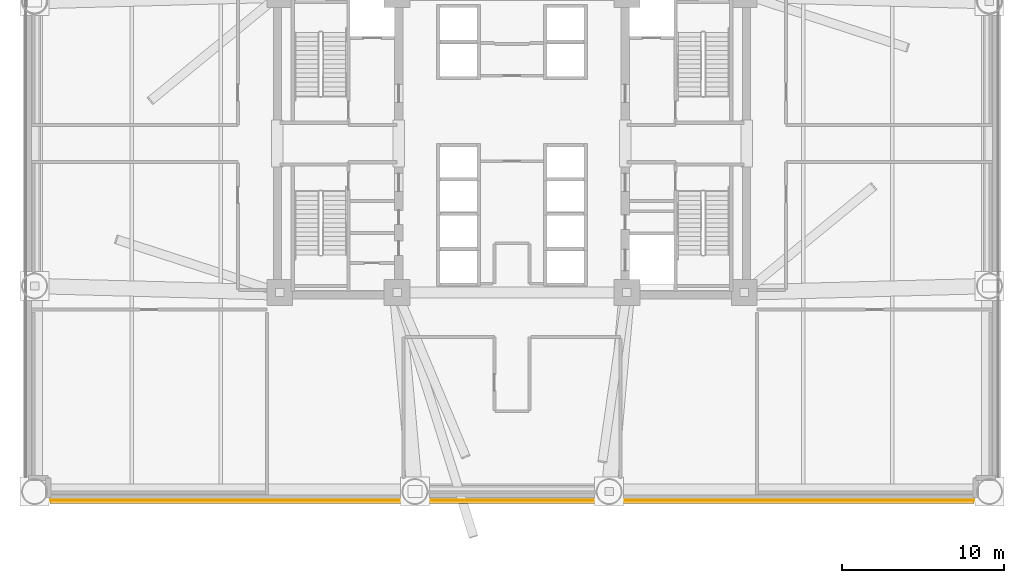
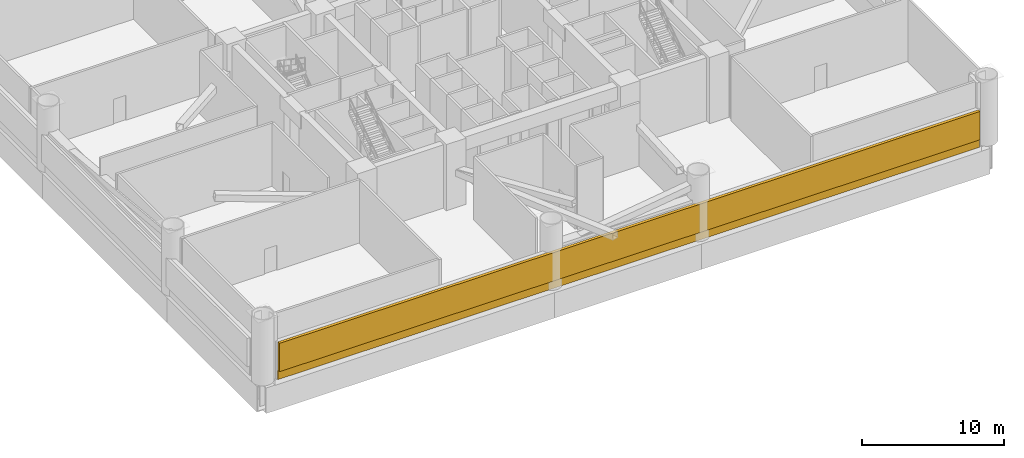
# One storey, part 7 of 10: 1 covering, 1 shading device.
"""IFC4 building model written with IfcOpenShell, lengths in metres."""

from ifc_helpers import new_model, si_unit, direction, frame, origin, origin_2d, place, context, subcontext, project, spatial, rectangle, extrude, source, transform, mapped, material, layer, layer_set, type_object, element, save


model = new_model("IFC4")

# Units and contexts
model_context = context("Model", 3, precision=1e-05, world=origin(), true_north=direction((0.0, 1.0)))
body_context = subcontext(model_context, "Body", "Model", "MODEL_VIEW")
ifc_project = project(units=[si_unit("LENGTHUNIT", "METRE"), si_unit("AREAUNIT", "SQUARE_METRE"), si_unit("VOLUMEUNIT", "CUBIC_METRE"), si_unit("PLANEANGLEUNIT", "RADIAN"), si_unit("MASSUNIT", "GRAM", prefix="KILO")], contexts=[model_context])

# Site, building, storey
site_placement = place(None, origin())
site = spatial("IfcSite", under=ifc_project, at=site_placement, CompositionType="ELEMENT")
building_placement = place(site_placement, origin())
building = spatial("IfcBuilding", under=site, at=building_placement, Name="Zahravan Cultural Tower", CompositionType="ELEMENT")
storey_placement = place(building_placement, frame((0.0, 0.0, 23.39990234375)))
storey = spatial("IfcBuildingStorey", under=building, at=storey_placement, Name="L04", CompositionType="ELEMENT", Elevation=23.39990234375)

# Covering
ifc_material_1 = material(Name="Terracotta ceramic cladding", Category="masonry")
ifc_layer = layer(ifc_material_1, 0.06005859375)
ifc_layer_set = layer_set([ifc_layer], Name="Terracotta ceramic cladding")
covering_type = type_object("IfcCoveringType", Name="COV-CLAD-TC60", PredefinedType="CLADDING", material=ifc_layer_set)
shared_shape_1 = source(origin(), body_context, "Body", "SweptSolid", [
    extrude(rectangle(XDim=57.219970703125, YDim=0.06005859375, at=origin_2d()), origin(), (0.0, 0.0, 1.0), 0.760009765625),
])
covering_placement = place(storey_placement, frame((36.0, 4.955078125, 0.02001953125), z_axis=(0.0, 0.0, 1.0), x_axis=(-1.0, 0.0, 0.0)))
element("IfcCovering", 1, at=covering_placement, inside=storey, type_object=covering_type, Name="L04 Terracotta Spandrel Cladding 04", PredefinedType="CLADDING", context=body_context, shape_type="MappedRepresentation", body=[
    mapped(shared_shape_1, transform((0.0, 0.0, 0.0), x_axis=(1.0, 0.0, 0.0), y_axis=(0.0, 1.0, 0.0), z_axis=(0.0, 0.0, 1.0), scale=1.0)),
])

# Shading device
ifc_material_2 = material(Name="Architectural terracotta fin", Category="masonry")
shading_device_type = type_object("IfcShadingDeviceType", Name="SHD-LOUVRE-BAND", PredefinedType="JALOUSIE", material=ifc_material_2)
shared_shape_2 = source(origin(), body_context, "Body", "SweptSolid", [
    extrude(rectangle(XDim=57.1201171875, YDim=0.239990234375, at=origin_2d()), origin(), (0.0, 0.0, 1.0), 2.44189453125),
])
shading_device_placement = place(storey_placement, frame((36.0, 4.889892578125, 0.780029296875), z_axis=(0.0, 0.0, 1.0), x_axis=(-1.0, 0.0, 0.0)))
element("IfcShadingDevice", 2, at=shading_device_placement, inside=storey, type_object=shading_device_type, Name="L04 Terracotta Acoustic Louvre 02", PredefinedType="JALOUSIE", context=body_context, shape_type="MappedRepresentation", body=[
    mapped(shared_shape_2, transform((0.0, 0.0, 0.0), x_axis=(1.0, 0.0, 0.0), y_axis=(0.0, 1.0, 0.0), z_axis=(0.0, 0.0, 1.0), scale=1.0)),
])

save(model, "model.ifc")
